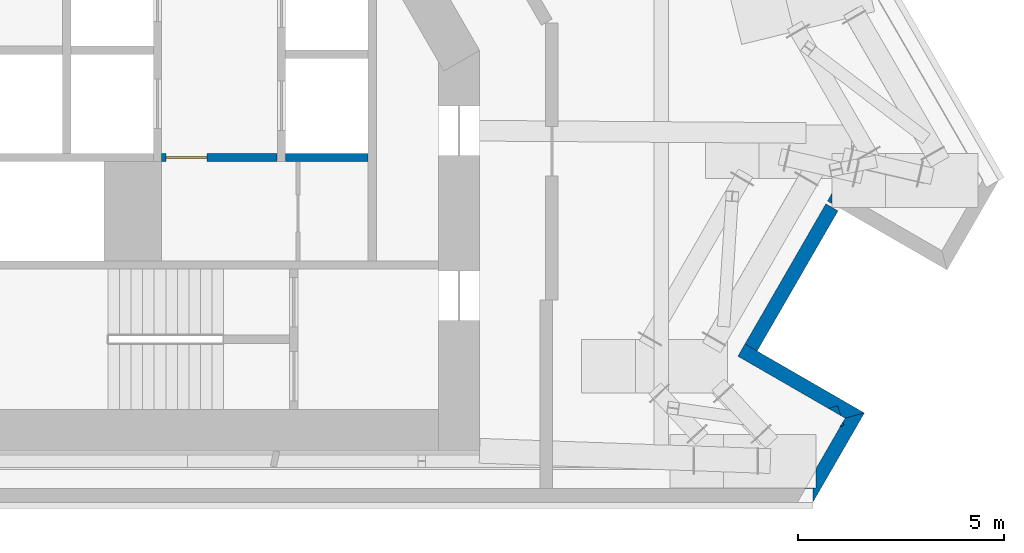
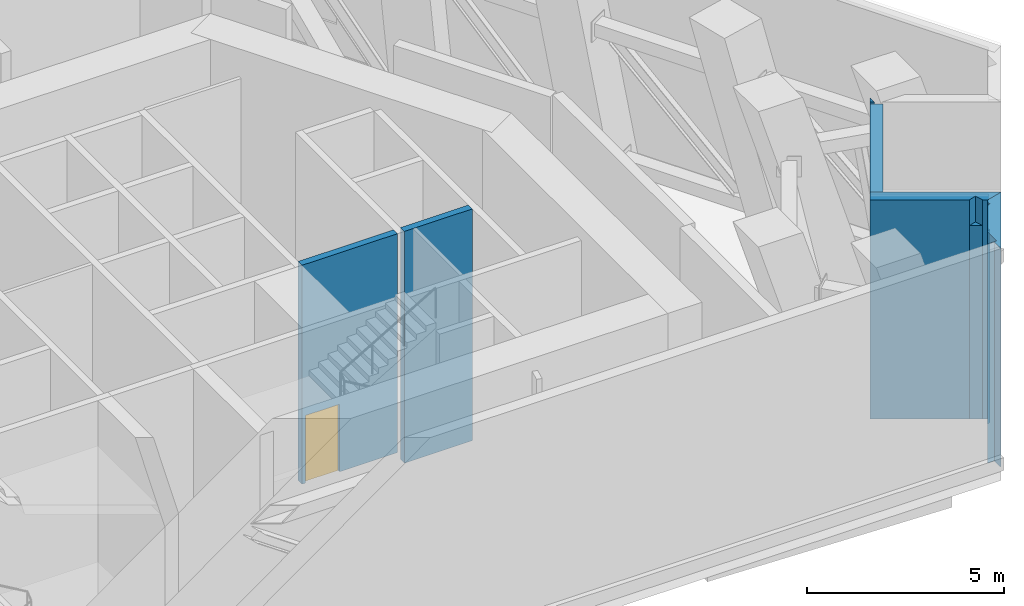
# One storey, part 7 of 13: 8 walls, 1 door, 1 opening.
"""IFC4 building model written with IfcOpenShell, lengths in metres."""

import ifcopenshell
import ifcopenshell.guid

model = None  # the IFC model being written
_history = None  # IfcOwnerHistory: only IFC2X3 demands one
_inside = {}  # id of a spatial element -> (the spatial element, [elements in it])
_under = {}  # id of a project, library or spatial element -> (it, [spatial elements below it])
_declared = {}  # id of a project -> (the project, [libraries it declares])
_typed = {}  # id of a type object -> (the type object, [elements of that type])
_made_of = {}  # id of a material, layer set ... -> (it, [elements and type objects made of it])


def new_model(schema):
    """Start an empty IFC model of exactly this schema.

    Asked for "IFC4X3", IfcOpenShell would pick the latest addendum, in which some entities
    have other attributes; the version numbers below select the first issue.
    IFC2X3 requires an IfcOwnerHistory on every rooted entity: one is made here for all.
    """
    global model, _history
    if schema == "IFC4X3":
        model = ifcopenshell.file(schema_version=(4, 3, 0, 0))
    else:
        model = ifcopenshell.file(schema=schema)
    _inside.clear()
    _under.clear()
    _declared.clear()
    _typed.clear()
    _made_of.clear()
    _history = None
    if model.schema == "IFC2X3":
        org = make("IfcOrganization", Name="unknown")
        user = make(
            "IfcPersonAndOrganization",
            ThePerson=make("IfcPerson", FamilyName="unknown"),
            TheOrganization=org,
        )
        app = make(
            "IfcApplication",
            ApplicationDeveloper=org,
            Version="unknown",
            ApplicationFullName="unknown",
            ApplicationIdentifier="unknown",
        )
        _history = make(
            "IfcOwnerHistory",
            OwningUser=user,
            OwningApplication=app,
            ChangeAction="ADDED",
            CreationDate=0,
        )
    return model


def make(cls, **values):
    """One entity of the class cls with the attributes given. An attribute that is None is left unset."""
    return model.create_entity(
        cls, **{name: value for name, value in values.items() if value is not None}
    )


def rooted(cls, **values):
    """An entity with a GlobalId (a new one), such as an element, a storey or a relation."""
    return make(cls, GlobalId=ifcopenshell.guid.new(), OwnerHistory=_history, **values)


def si_unit(unit_type, name, prefix=None):
    """IfcSIUnit, for example si_unit("LENGTHUNIT", "METRE", prefix="MILLI")."""
    return make("IfcSIUnit", UnitType=unit_type, Prefix=prefix, Name=name)


def assignment(units):
    """IfcUnitAssignment: the units of a project."""
    return None if units is None else make("IfcUnitAssignment", Units=units)


def point(xyz):
    """IfcCartesianPoint."""
    return None if xyz is None else make("IfcCartesianPoint", Coordinates=xyz)


def direction(xyz):
    """IfcDirection."""
    return None if xyz is None else make("IfcDirection", DirectionRatios=xyz)


def frame(location, z_axis=None, x_axis=None):
    """IfcAxis2Placement3D, a coordinate frame: its origin and axes. An axis left out is left unset."""
    return make(
        "IfcAxis2Placement3D",
        Location=point(location),
        Axis=direction(z_axis),
        RefDirection=direction(x_axis),
    )


def frame_2d(location, x_axis=None):
    """IfcAxis2Placement2D, a coordinate frame in the plane: its origin and x axis."""
    return make(
        "IfcAxis2Placement2D", Location=point(location), RefDirection=direction(x_axis)
    )


def origin():
    """The frame at (0, 0, 0) with its axes left unset."""
    return frame((0.0, 0.0, 0.0))


def place(relative_to, where):
    """IfcLocalPlacement: puts the frame where relative to a parent placement (None: the world)."""
    return make(
        "IfcLocalPlacement", PlacementRelTo=relative_to, RelativePlacement=where
    )


def context(
    kind, dimensions, precision=None, world=None, true_north=None, identifier=None
):
    """IfcGeometricRepresentationContext, for example the 3D "Model" context."""
    return make(
        "IfcGeometricRepresentationContext",
        ContextIdentifier=identifier,
        ContextType=kind,
        CoordinateSpaceDimension=dimensions,
        Precision=precision,
        WorldCoordinateSystem=world,
        TrueNorth=true_north,
    )


def subcontext(parent, identifier, kind, view, scale=None):
    """IfcGeometricRepresentationSubContext, for example "Body" below "Model"."""
    return make(
        "IfcGeometricRepresentationSubContext",
        ContextIdentifier=identifier,
        ContextType=kind,
        ParentContext=parent,
        TargetScale=scale,
        TargetView=view,
    )


def project(units=None, contexts=None):
    """IfcProject with its units and contexts."""
    return rooted(
        "IfcProject",
        Name="project",
        RepresentationContexts=contexts,
        UnitsInContext=assignment(units),
    )


def spatial(cls, under=None, at=None, **own):
    """A site, building, storey or space (cls), placed at a placement, below another one or the project."""
    s = rooted(cls, ObjectPlacement=at, **own)
    if under is not None:
        _under.setdefault(under.id(), (under, []))[1].append(s)
    return s


def polyline(points):
    """IfcPolyline through the points."""
    return make("IfcPolyline", Points=[point(p) for p in points])


def profile(cls, at=None, kind="AREA", **sizes):
    """A parametric profile (cls). Its sizes go by their IFC names, for example OverallWidth=200.0."""
    return make(cls, ProfileType=kind, Position=at, **sizes)


def rectangle(**sizes):
    """IfcRectangleProfileDef."""
    return profile("IfcRectangleProfileDef", **sizes)


def outline(outer, holes=None, kind="AREA"):
    """IfcArbitraryClosedProfileDef: a profile drawn as a closed curve; with holes, ...WithVoids."""
    if holes is None:
        return make("IfcArbitraryClosedProfileDef", ProfileType=kind, OuterCurve=outer)
    return make(
        "IfcArbitraryProfileDefWithVoids",
        ProfileType=kind,
        OuterCurve=outer,
        InnerCurves=holes,
    )


def extrude(swept, where, along, depth):
    """IfcExtrudedAreaSolid: the profile swept, set in the frame where, extruded along a direction by depth."""
    return make(
        "IfcExtrudedAreaSolid",
        SweptArea=swept,
        Position=where,
        ExtrudedDirection=direction(along),
        Depth=depth,
    )


def shape(context_of_items, identifier, shape_type, items):
    """IfcShapeRepresentation: the items that make up one representation, for example the "Body"."""
    return make(
        "IfcShapeRepresentation",
        ContextOfItems=context_of_items,
        RepresentationIdentifier=identifier,
        RepresentationType=shape_type,
        Items=items,
    )


def material(Name=None, Category=None):
    """IfcMaterial."""
    return make("IfcMaterial", Name=Name, Category=Category)


def layer(
    of_material, thickness, ventilated=None, Name=None, Category=None, Priority=None
):
    """IfcMaterialLayer: one layer of a wall or slab, of a material (None: an air gap)."""
    return make(
        "IfcMaterialLayer",
        Material=of_material,
        LayerThickness=thickness,
        IsVentilated=ventilated,
        Name=Name,
        Category=Category,
        Priority=Priority,
    )


def layer_set(layers, Name=None):
    """IfcMaterialLayerSet."""
    return make("IfcMaterialLayerSet", MaterialLayers=layers, LayerSetName=Name)


def made_of(thing, what):
    """Note that an element or type object is made of a material, layer set ...; save() writes the relation."""
    if what is not None:
        _made_of.setdefault(what.id(), (what, []))[1].append(thing)
    return thing


def type_object(cls, material=None, **own):
    """A type object (cls), such as IfcWallType, which elements share."""
    return made_of(rooted(cls, **own), material)


def element(
    cls,
    number,
    at=None,
    inside=None,
    cuts=None,
    type_object=None,
    material=None,
    context=None,
    identifier="Body",
    shape_type=None,
    held_by="IfcProductDefinitionShape",
    body=None,
    shapes=None,
    **own,
):
    """One element of the class cls, such as IfcWall. Its Tag is "e" and its number.

    at: its placement. inside: the storey or other place that contains it. cuts: it is an
    opening in that element (IfcRelVoidsElement). A single representation is given by context,
    identifier, shape_type and body (its items); several are given by shapes. held_by: the class
    of the entity that holds the representations. save() writes the other relations.
    """
    e = rooted(cls, Tag="e%d" % number, ObjectPlacement=at, **own)
    if body is not None:
        shapes = [shape(context, identifier, shape_type, body)]
    if shapes is not None:
        e.Representation = make(held_by, Representations=shapes)
    if inside is not None:
        _inside.setdefault(inside.id(), (inside, []))[1].append(e)
    if cuts is not None:
        rooted(
            "IfcRelVoidsElement", RelatingBuildingElement=cuts, RelatedOpeningElement=e
        )
    if type_object is not None:
        _typed.setdefault(type_object.id(), (type_object, []))[1].append(e)
    return made_of(e, material)


def fill(opening, filler):
    """IfcRelFillsElement: the door or window that sits in an opening."""
    return rooted(
        "IfcRelFillsElement",
        RelatingOpeningElement=opening,
        RelatedBuildingElement=filler,
    )


def aggregate(whole, parts):
    """IfcRelAggregates: a whole, such as a stair, and the parts it consists of."""
    return rooted("IfcRelAggregates", RelatingObject=whole, RelatedObjects=parts)


def save(model, path):
    """Write the relations noted so far, then the file.

    IfcRelAggregates (storeys below a building ...), IfcRelContainedInSpatialStructure (elements
    in a storey), IfcRelDefinesByType, IfcRelAssociatesMaterial and IfcRelDeclares: one each for
    every whole, place, type object, material and project.
    """
    for whole, parts in _under.values():
        aggregate(whole, parts)
    for where, things in _inside.values():
        rooted(
            "IfcRelContainedInSpatialStructure",
            RelatedElements=things,
            RelatingStructure=where,
        )
    for kind, things in _typed.values():
        rooted("IfcRelDefinesByType", RelatedObjects=things, RelatingType=kind)
    for what, things in _made_of.values():
        rooted("IfcRelAssociatesMaterial", RelatedObjects=things, RelatingMaterial=what)
    for by, libraries in _declared.values():
        rooted("IfcRelDeclares", RelatingContext=by, RelatedDefinitions=libraries)
    model.write(path)


model = new_model("IFC4")

# Units and contexts
model_context = context("Model", 3, precision=1e-05, world=origin(), true_north=direction((0.0, 1.0)))
body_context = subcontext(model_context, "Body", "Model", "MODEL_VIEW")
ifc_project = project(units=[si_unit("LENGTHUNIT", "METRE"), si_unit("AREAUNIT", "SQUARE_METRE"), si_unit("VOLUMEUNIT", "CUBIC_METRE"), si_unit("PLANEANGLEUNIT", "RADIAN"), si_unit("MASSUNIT", "GRAM", prefix="KILO")], contexts=[model_context])

# Site, building, storey
site_placement = place(None, origin())
site = spatial("IfcSite", under=ifc_project, at=site_placement, CompositionType="ELEMENT")
building_placement = place(site_placement, origin())
building = spatial("IfcBuilding", under=site, at=building_placement, Name="Fogline Exchange Tower", CompositionType="ELEMENT")
storey_placement = place(building_placement, frame((0.0, 0.0, 259.5)))
storey = spatial("IfcBuildingStorey", under=building, at=storey_placement, Name="L59", CompositionType="ELEMENT", Elevation=259.5)

# Wall, opening, door
ifc_material_1 = material(Name="Concrete C40", Category="concrete")
ifc_layer_1 = layer(ifc_material_1, 0.199951171875)
ifc_layer_set_1 = layer_set([ifc_layer_1], Name="CW20")
wall_type_1 = type_object("IfcWallType", Name="CW20", PredefinedType="SOLIDWALL", material=ifc_layer_set_1)
wall_1_placement = place(storey_placement, frame((5.89990234375, 8.35009765625, 0.0), z_axis=(0.0, 0.0, 1.0), x_axis=(1.0, 0.0, 0.0)))
wall_1 = element("IfcWall", 1, at=wall_1_placement, inside=storey, type_object=wall_type_1, Name="WC wall", PredefinedType="SOLIDWALL", context=body_context, shape_type="SweptSolid", body=[
    extrude(rectangle(XDim=2.800048828125, YDim=0.199951171875, at=frame_2d((1.39990234375, 0.0))), origin(), (0.0, 0.0, 1.0), 6.800048828125),
])
opening_placement = place(wall_1_placement, frame((0.10009765625, 0.0, 0.0)))
opening = element("IfcOpeningElement", 2, at=opening_placement, cuts=wall_1, Name="Opening L59-C016", PredefinedType="OPENING", context=body_context, shape_type="SweptSolid", body=[
    extrude(rectangle(XDim=1.0, YDim=2.10009765625, at=frame_2d((0.5, 1.050048828125))), frame((0.0, 0.10986328125, 0.0), z_axis=(0.0, -1.0, 0.0), x_axis=(1.0, 0.0, 0.0)), (0.0, 0.0, 1.0), 0.219970703125),
])
ifc_material_2 = material(Name="Steel and timber fire door", Category="steel")
door_type = type_object("IfcDoorType", Name="D-WC1", OperationType="SINGLE_SWING_LEFT", PredefinedType="DOOR", material=ifc_material_2)
door_placement = place(opening_placement, frame((1.0, 0.0, 0.0), z_axis=(0.0, 0.0, 1.0), x_axis=(-1.0, 0.0, 0.0)))
door = element("IfcDoor", 3, at=door_placement, inside=storey, type_object=door_type, Name="Door to Women's WC", OperationType="SINGLE_SWING_RIGHT", OverallHeight=2.10009765625, OverallWidth=1.0, PredefinedType="DOOR", context=body_context, shape_type="SweptSolid", body=[
    extrude(rectangle(XDim=1.0, YDim=2.10009765625, at=frame_2d((0.5, 1.050048828125))), frame((0.0, 0.02490234375, 0.0), z_axis=(0.0, -1.0, 0.0), x_axis=(1.0, 0.0, 0.0)), (0.0, 0.0, 1.0), 0.050048828125),
])
fill(opening, door)

# Walls
ifc_layer_2 = layer(ifc_material_1, 0.199951171875)
ifc_layer_set_2 = layer_set([ifc_layer_2], Name="CW20S")
wall_type_2 = type_object("IfcWallType", Name="CW20S", PredefinedType="SOLIDWALL", material=ifc_layer_set_2)
wall_2_placement = place(storey_placement, frame((8.89990234375, 8.35009765625, -0.39990234375), z_axis=(0.0, 0.0, 1.0), x_axis=(1.0, 0.0, 0.0)))
element("IfcWall", 4, at=wall_2_placement, inside=storey, type_object=wall_type_2, Name="Lift shaft wall", PredefinedType="SOLIDWALL", context=body_context, shape_type="SweptSolid", body=[
    extrude(rectangle(XDim=2.0, YDim=0.199951171875, at=frame_2d((1.0, 0.0))), origin(), (0.0, 0.0, 1.0), 7.199951171875),
])
ifc_material_3 = material(Name="Brick masonry", Category="masonry")
ifc_layer_3 = layer(ifc_material_3, 0.340087890625)
ifc_layer_set_3 = layer_set([ifc_layer_3], Name="FW3")
wall_type_3 = type_object("IfcWallType", Name="FW3", PredefinedType="SOLIDWALL", material=ifc_layer_set_3)
wall_3_placement = place(storey_placement, origin())
element("IfcWall", 5, at=wall_3_placement, inside=storey, type_object=wall_type_3, Name="Brick wall L59 SE-c1", PredefinedType="SOLIDWALL", context=body_context, shape_type="SweptSolid", body=[
    extrude(outline(polyline([(22.396484375, 1.940673828125), (22.420166015625, 1.865966796875), (22.33837890625, 1.83984375), (22.396484375, 1.940673828125)])), origin(), (0.0, 0.0, 1.0), 6.0),
])
wall_4_placement = place(storey_placement, origin())
element("IfcWall", 6, at=wall_4_placement, inside=storey, type_object=wall_type_3, Name="Brick wall L59 SE-c1", PredefinedType="SOLIDWALL", context=body_context, shape_type="SweptSolid", body=[
    extrude(outline(polyline([(21.66943359375, -0.001220703125), (21.668701171875, -0.0009765625), (21.668701171875, 0.33935546875), (21.471923828125, 0.33935546875), (21.47802734375, 0.35009765625), (21.741943359375, 0.35009765625), (21.741943359375, 0.80712890625), (22.33837890625, 1.83984375), (22.420166015625, 1.865966796875), (22.396484375, 1.940673828125), (22.45458984375, 2.041015625), (22.920166015625, 2.166015625), (22.92041015625, 2.165771484375), (21.66943359375, -0.001220703125)])), origin(), (0.0, 0.0, 1.0), 6.800048828125),
])
wall_5_placement = place(storey_placement, origin())
element("IfcWall", 7, at=wall_5_placement, inside=storey, type_object=wall_type_3, Name="Brick wall L59 SE-s1", PredefinedType="SOLIDWALL", context=body_context, shape_type="SweptSolid", body=[
    extrude(outline(polyline([(22.05078125, 2.273193359375), (22.269287109375, 2.342529296875), (22.344970703125, 2.103271484375), (22.05078125, 2.273193359375)])), origin(), (0.0, 0.0, 1.0), 6.0),
])
wall_6_placement = place(storey_placement, origin())
element("IfcWall", 8, at=wall_6_placement, inside=storey, type_object=wall_type_3, Name="Brick wall L59 SE-s1", PredefinedType="SOLIDWALL", context=body_context, shape_type="SweptSolid", body=[
    extrude(outline(polyline([(20.026611328125, 3.8359375), (20.321533203125, 3.66552734375), (22.920654296875, 2.1650390625), (22.92041015625, 2.164794921875), (22.454833984375, 2.0400390625), (22.344970703125, 2.103271484375), (22.269287109375, 2.342529296875), (22.05078125, 2.273193359375), (19.85595703125, 3.540283203125), (20.026611328125, 3.8359375)])), origin(), (0.0, 0.0, 1.0), 6.800048828125),
])
wall_7_placement = place(storey_placement, frame((20.174072265625, 3.75, 0.0), z_axis=(0.0, 0.0, 1.0), x_axis=(0.499979589489, 0.866037187478, 0.0)))
element("IfcWall", 9, at=wall_7_placement, inside=storey, type_object=wall_type_3, Name="Brick wall L59 SE-bk", PredefinedType="SOLIDWALL", context=body_context, shape_type="SweptSolid", body=[
    extrude(rectangle(XDim=3.917724609375, YDim=0.340087890625, at=frame_2d((1.958984375, 0.0))), origin(), (0.0, 0.0, 1.0), 6.800048828125),
])
wall_8_placement = place(storey_placement, origin())
element("IfcWall", 10, at=wall_8_placement, inside=storey, type_object=wall_type_3, Name="Brick wall L59 SE-s2", PredefinedType="SOLIDWALL", context=body_context, shape_type="SweptSolid", body=[
    extrude(outline(polyline([(22.026123046875, 7.298828125), (22.13037109375, 7.4794921875), (22.13037109375, 7.23876953125), (22.026123046875, 7.298828125)])), origin(), (0.0, 0.0, 1.0), 6.800048828125),
])

save(model, "model.ifc")
